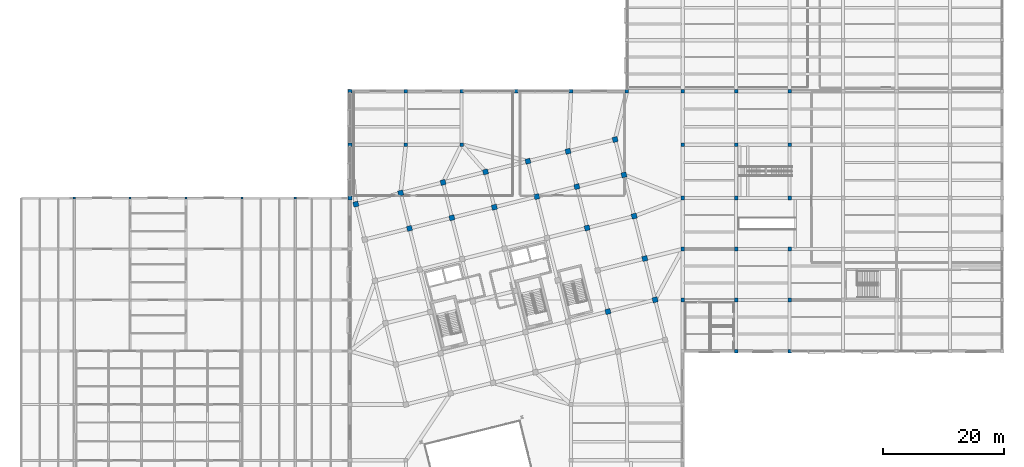
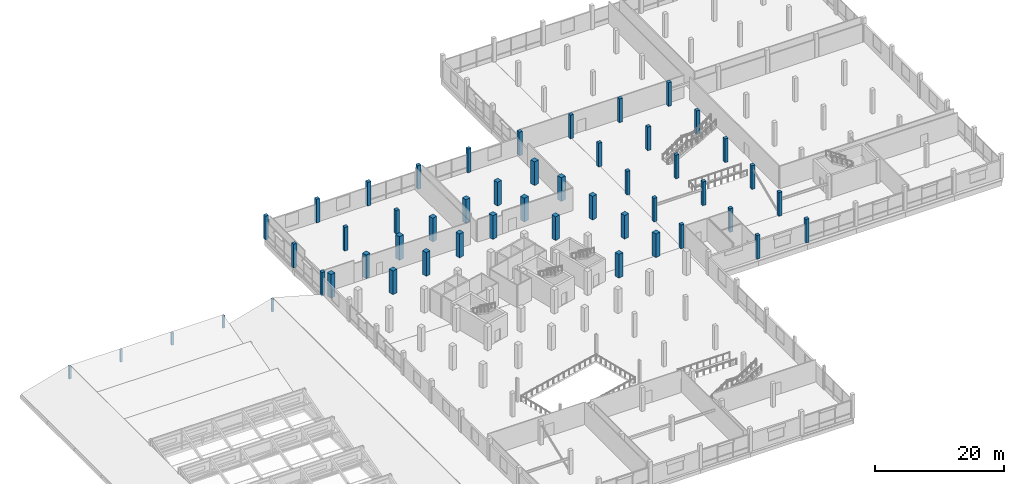
# One storey, part 8 of 77: 50 columns.
"""IFC4 building model written with IfcOpenShell, lengths in metres."""

from ifc_helpers import new_model, si_unit, direction, frame, origin, origin_2d, place, context, subcontext, project, spatial, rectangle, extrude, material, material_profile, profile_set, type_object, element, save


model = new_model("IFC4")

# Units and contexts
model_context = context("Model", 3, precision=1e-05, world=origin(), true_north=direction((0.0, 1.0)))
body_context = subcontext(model_context, "Body", "Model", "MODEL_VIEW")
ifc_project = project(units=[si_unit("LENGTHUNIT", "METRE"), si_unit("AREAUNIT", "SQUARE_METRE"), si_unit("VOLUMEUNIT", "CUBIC_METRE"), si_unit("PLANEANGLEUNIT", "RADIAN"), si_unit("MASSUNIT", "GRAM", prefix="KILO")], contexts=[model_context])

# Site, building, storey
site_placement = place(None, origin())
site = spatial("IfcSite", under=ifc_project, at=site_placement, CompositionType="ELEMENT")
building_placement = place(site_placement, origin())
building = spatial("IfcBuilding", under=site, at=building_placement, Name="Meriwether Solvik Hall", CompositionType="ELEMENT")
storey_placement = place(building_placement, frame((0.0, 0.0, 9.89990234375)))
storey = spatial("IfcBuildingStorey", under=building, at=storey_placement, Name="L02", CompositionType="ELEMENT", Elevation=9.89990234375)

# Columns
ifc_material_1 = material(Name="Glulam Douglas-Fir L2 GL28c", Category="wood")
ifc_material_profile_1 = material_profile(ifc_material_1, rectangle(XDim=0.364990234375, YDim=0.364990234375, at=origin_2d()), Name="GLC-365X365")
ifc_profile_set_1 = profile_set([ifc_material_profile_1], Name="Glulam Douglas-Fir L2 GL28c")
column_type_1 = type_object("IfcColumnType", Name="COL-GL-365X365", PredefinedType="COLUMN", material=ifc_profile_set_1)
column_1_placement = place(storey_placement, frame((14.0, 75.199951171875, 0.0), z_axis=(0.0, 0.0, 1.0), x_axis=(1.0, 0.0, 0.0)))
element("IfcColumn", 1, at=column_1_placement, inside=storey, type_object=column_type_1, Name="Roof Ridge Post 2/I (L02)", PredefinedType="COLUMN", context=body_context, shape_type="SweptSolid", body=[
    extrude(rectangle(XDim=0.364990234375, YDim=0.364990234375, at=origin_2d()), origin(), (0.0, 0.0, 1.0), 2.44091796875),
])
for number, where, z_axis, x_axis, name in (
    (2, (23.199951171875, 75.199951171875, 0.0), (0.0, 0.0, 1.0), (1.0, 0.0, 0.0), "Roof Ridge Post 3/I (L02)"),
    (3, (32.39990234375, 75.199951171875, 0.0), (0.0, 0.0, 1.0), (1.0, 0.0, 0.0), "Roof Ridge Post 4/I (L02)"),
    (4, (41.60009765625, 75.199951171875, 0.0), (0.0, 0.0, 1.0), (1.0, 0.0, 0.0), "Roof Ridge Post 5/I (L02)"),
):
    element("IfcColumn", number, at=place(storey_placement, frame(where, z_axis=z_axis, x_axis=x_axis)), inside=storey, type_object=column_type_1, Name=name, PredefinedType="COLUMN", context=body_context, shape_type="SweptSolid", body=[
        extrude(rectangle(XDim=0.364990234375, YDim=0.364990234375, at=origin_2d()), origin(), (0.0, 0.0, 1.0), 2.3408203125),
    ])
column_2_placement = place(storey_placement, frame((50.39990234375, 75.199951171875, 0.0), z_axis=(0.0, 0.0, 1.0), x_axis=(1.0, 0.0, 0.0)))
element("IfcColumn", 5, at=column_2_placement, inside=storey, type_object=column_type_1, Name="Roof Ridge Post 6/I (L02)", PredefinedType="COLUMN", context=body_context, shape_type="SweptSolid", body=[
    extrude(rectangle(XDim=0.364990234375, YDim=0.364990234375, at=origin_2d()), origin(), (0.0, 0.0, 1.0), 2.441162109375),
])
ifc_material_2 = material(Name="Concrete C40/50", Category="concrete")
ifc_material_profile_2 = material_profile(ifc_material_2, rectangle(XDim=0.60009765625, YDim=0.60009765625, at=origin_2d()), Name="RCC-600X600")
ifc_profile_set_2 = profile_set([ifc_material_profile_2], Name="Concrete C40/50")
column_type_2 = type_object("IfcColumnType", Name="COL-RC-600", PredefinedType="COLUMN", material=ifc_profile_set_2)
for number, where, z_axis, x_axis, name in (
    (6, (59.39990234375, 75.199951171875, 0.0), (0.0, 0.0, 1.0), (1.0, 0.0, 0.0), "Podium Column 7/I (L02)"),
    (7, (59.39990234375, 84.0, 0.0), (0.0, 0.0, 1.0), (1.0, 0.0, 0.0), "Podium Column 7/J (L02)"),
    (8, (59.39990234375, 92.800048828125, 0.0), (0.0, 0.0, 1.0), (1.0, 0.0, 0.0), "Podium Column 7/K (L02)"),
    (9, (68.60009765625, 84.0, 0.0), (0.0, 0.0, 1.0), (1.0, 0.0, 0.0), "Podium Column 8/J (L02)"),
    (10, (68.60009765625, 92.800048828125, 0.0), (0.0, 0.0, 1.0), (1.0, 0.0, 0.0), "Podium Column 8/K (L02)"),
    (11, (77.800048828125, 84.0, 0.0), (0.0, 0.0, 1.0), (1.0, 0.0, 0.0), "Podium Column 9/J (L02)"),
    (12, (77.800048828125, 92.800048828125, 0.0), (0.0, 0.0, 1.0), (1.0, 0.0, 0.0), "Podium Column 9/K (L02)"),
    (13, (86.800048828125, 92.800048828125, 0.0), (0.0, 0.0, 1.0), (1.0, 0.0, 0.0), "Podium Column 10/K (L02)"),
    (14, (95.800048828125, 92.800048828125, 0.0), (0.0, 0.0, 1.0), (1.0, 0.0, 0.0), "Podium Column 11/K (L02)"),
    (15, (105.0, 92.800048828125, 0.0), (0.0, 0.0, 1.0), (1.0, 0.0, 0.0), "Podium Column 12/K (L02)"),
    (16, (114.199951171875, 58.39990234375, 0.0), (0.0, 0.0, 1.0), (1.0, 0.0, 0.0), "Podium Column 13/G (L02)"),
    (17, (114.199951171875, 66.800048828125, 0.0), (0.0, 0.0, 1.0), (1.0, 0.0, 0.0), "Podium Column 13/H (L02)"),
    (18, (114.199951171875, 75.199951171875, 0.0), (0.0, 0.0, 1.0), (1.0, 0.0, 0.0), "Podium Column 13/I (L02)"),
    (19, (114.199951171875, 84.0, 0.0), (0.0, 0.0, 1.0), (1.0, 0.0, 0.0), "Podium Column 13/J (L02)"),
    (20, (114.199951171875, 92.800048828125, 0.0), (0.0, 0.0, 1.0), (1.0, 0.0, 0.0), "Podium Column 13/K (L02)"),
    (21, (123.0, 50.0, 0.0), (0.0, 0.0, 1.0), (1.0, 0.0, 0.0), "Podium Column 14/F (L02)"),
    (22, (123.0, 58.39990234375, 0.0), (0.0, 0.0, 1.0), (1.0, 0.0, 0.0), "Podium Column 14/G (L02)"),
    (23, (123.0, 66.800048828125, 0.0), (0.0, 0.0, 1.0), (1.0, 0.0, 0.0), "Podium Column 14/H (L02)"),
    (24, (123.0, 75.199951171875, 0.0), (0.0, 0.0, 1.0), (1.0, 0.0, 0.0), "Podium Column 14/I (L02)"),
    (25, (123.0, 84.0, 0.0), (0.0, 0.0, 1.0), (1.0, 0.0, 0.0), "Podium Column 14/J (L02)"),
    (26, (123.0, 92.800048828125, 0.0), (0.0, 0.0, 1.0), (1.0, 0.0, 0.0), "Podium Column 14/K (L02)"),
    (27, (131.800048828125, 50.0, 0.0), (0.0, 0.0, 1.0), (1.0, 0.0, 0.0), "Podium Column 15/F (L02)"),
    (28, (131.800048828125, 58.39990234375, 0.0), (0.0, 0.0, 1.0), (1.0, 0.0, 0.0), "Podium Column 15/G (L02)"),
    (29, (131.800048828125, 66.800048828125, 0.0), (0.0, 0.0, 1.0), (1.0, 0.0, 0.0), "Podium Column 15/H (L02)"),
    (30, (131.800048828125, 75.199951171875, 0.0), (0.0, 0.0, 1.0), (1.0, 0.0, 0.0), "Podium Column 15/I (L02)"),
    (31, (131.800048828125, 84.0, 0.0), (0.0, 0.0, 1.0), (1.0, 0.0, 0.0), "Podium Column 15/J (L02)"),
    (32, (131.800048828125, 92.800048828125, 0.0), (0.0, 0.0, 1.0), (1.0, 0.0, 0.0), "Podium Column 15/K (L02)"),
):
    element("IfcColumn", number, at=place(storey_placement, frame(where, z_axis=z_axis, x_axis=x_axis)), inside=storey, type_object=column_type_2, Name=name, PredefinedType="COLUMN", context=body_context, shape_type="SweptSolid", body=[
        extrude(rectangle(XDim=0.60009765625, YDim=0.60009765625, at=origin_2d()), origin(), (0.0, 0.0, 1.0), 4.5),
    ])
ifc_material_3 = material(Name="Concrete C40/50", Category="concrete")
ifc_material_profile_3 = material_profile(ifc_material_3, rectangle(XDim=0.85009765625, YDim=0.85009765625, at=origin_2d()), Name="RCC-850X850")
ifc_profile_set_3 = profile_set([ifc_material_profile_3], Name="Concrete C40/50")
column_type_3 = type_object("IfcColumnType", Name="COL-RC-850", PredefinedType="COLUMN", material=ifc_profile_set_3)
for number, where, z_axis, x_axis, name in (
    (33, (60.374755859375, 74.18994140625, 0.0), (0.0, 0.0, 1.0), (0.970295726276, 0.2419218956, 0.0), "Tower Column T1/TF (L02)"),
    (34, (69.200439453125, 70.206787109375, 0.0), (0.0, 0.0, 1.0), (0.970295726276, 0.2419218956, 0.0), "Tower Column T2/TE (L02)"),
    (35, (67.7490234375, 76.028564453125, 0.0), (0.0, 0.0, 1.0), (0.970295726276, 0.2419218956, 0.0), "Tower Column T2/TF (L02)"),
    (36, (76.1865234375, 71.94873046875, 0.0), (0.0, 0.0, 1.0), (0.970295726276, 0.2419218956, 0.0), "Tower Column T3/TE (L02)"),
    (37, (74.735107421875, 77.7705078125, 0.0), (0.0, 0.0, 1.0), (0.970295726276, 0.2419218956, 0.0), "Tower Column T3/TF (L02)"),
    (38, (83.172607421875, 73.690673828125, 0.0), (0.0, 0.0, 1.0), (0.970295726276, 0.2419218956, 0.0), "Tower Column T4/TE (L02)"),
    (39, (81.72119140625, 79.512451171875, 0.0), (0.0, 0.0, 1.0), (0.970295726276, 0.2419218956, 0.0), "Tower Column T4/TF (L02)"),
    (40, (90.158935546875, 75.432373046875, 0.0), (0.0, 0.0, 1.0), (0.970295726276, 0.2419218956, 0.0), "Tower Column T5/TE (L02)"),
    (41, (88.707275390625, 81.254150390625, 0.0), (0.0, 0.0, 1.0), (0.970295726276, 0.2419218956, 0.0), "Tower Column T5/TF (L02)"),
    (42, (101.885498046875, 56.507080078125, 0.0), (0.0, 0.0, 1.0), (0.970295726276, 0.2419218956, 0.0), "Tower Column T6/TB (L02)"),
    (43, (98.4501953125, 70.285400390625, 0.0), (0.0, 0.0, 1.0), (0.970295726276, 0.2419218956, 0.0), "Tower Column T6/TD (L02)"),
    (44, (96.7568359375, 77.077392578125, 0.0), (0.0, 0.0, 1.0), (0.970295726276, 0.2419218956, 0.0), "Tower Column T6/TE (L02)"),
    (45, (95.305419921875, 82.899169921875, 0.0), (0.0, 0.0, 1.0), (0.970295726276, 0.2419218956, 0.0), "Tower Column T6/TF (L02)"),
    (46, (109.64794921875, 58.442626953125, 0.0), (0.0, 0.0, 1.0), (0.970295726276, 0.2419218956, 0.0), "Tower Column T7/TB (L02)"),
    (47, (107.95458984375, 65.234619140625, 0.0), (0.0, 0.0, 1.0), (0.970295726276, 0.2419218956, 0.0), "Tower Column T7/TC (L02)"),
    (48, (106.212646484375, 72.220703125, 0.0), (0.0, 0.0, 1.0), (0.970295726276, 0.2419218956, 0.0), "Tower Column T7/TD (L02)"),
    (49, (104.519287109375, 79.012939453125, 0.0), (0.0, 0.0, 1.0), (0.970295726276, 0.2419218956, 0.0), "Tower Column T7/TE (L02)"),
    (50, (103.067626953125, 84.834716796875, 0.0), (0.0, 0.0, 1.0), (0.970295726276, 0.2419218956, 0.0), "Tower Column T7/TF (L02)"),
):
    element("IfcColumn", number, at=place(storey_placement, frame(where, z_axis=z_axis, x_axis=x_axis)), inside=storey, type_object=column_type_3, Name=name, PredefinedType="COLUMN", context=body_context, shape_type="SweptSolid", body=[
        extrude(rectangle(XDim=0.85009765625, YDim=0.85009765625, at=origin_2d()), origin(), (0.0, 0.0, 1.0), 4.5),
    ])

save(model, "model.ifc")
